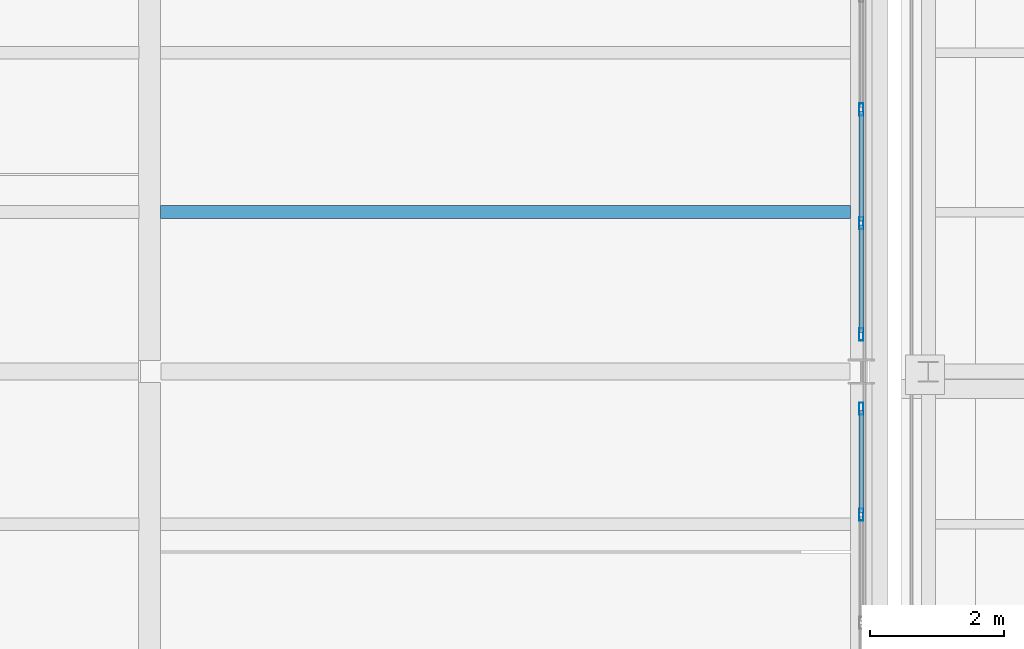
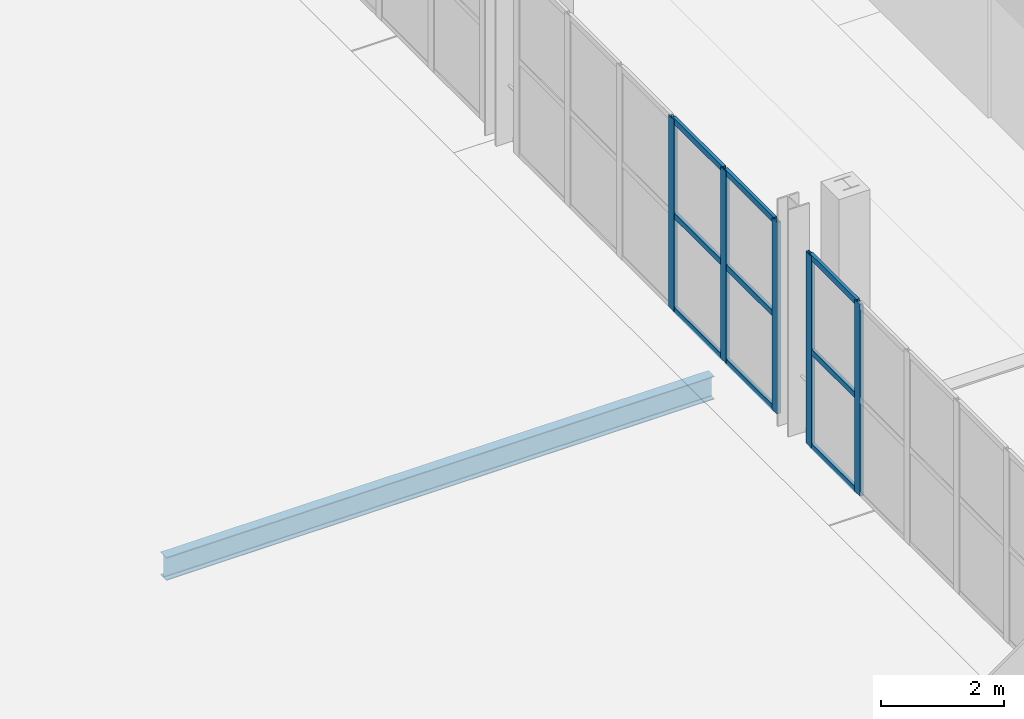
# One storey, part 84 of 156: 14 members, 1 beam, 2 elements without a shape of their own.
"""IFC4 building model written with IfcOpenShell, lengths in metres."""

from ifc_helpers import new_model, si_unit, direction, frame, origin, origin_2d, place, context, subcontext, project, spatial, hollow_rectangle, i_section, extrude, material, material_profile, profile_set, type_object, element, aggregate, save


model = new_model("IFC4")

# Units and contexts
model_context = context("Model", 3, precision=1e-05, world=origin(), true_north=direction((0.0, 1.0)))
body_context = subcontext(model_context, "Body", "Model", "MODEL_VIEW")
ifc_project = project(units=[si_unit("LENGTHUNIT", "METRE"), si_unit("AREAUNIT", "SQUARE_METRE"), si_unit("VOLUMEUNIT", "CUBIC_METRE"), si_unit("PLANEANGLEUNIT", "RADIAN"), si_unit("MASSUNIT", "GRAM", prefix="KILO")], contexts=[model_context])

# Site, building, storey
site_placement = place(None, origin())
site = spatial("IfcSite", under=ifc_project, at=site_placement, CompositionType="ELEMENT")
building_placement = place(site_placement, origin())
building = spatial("IfcBuilding", under=site, at=building_placement, Name="Caurita Quay Ferry Terminal", CompositionType="ELEMENT")
storey_placement = place(building_placement, frame((0.0, 0.0, 5.39990234375)))
storey = spatial("IfcBuildingStorey", under=building, at=storey_placement, Name="L01", CompositionType="ELEMENT", Elevation=5.39990234375)

# Beam
ifc_material_1 = material(Name="Structural steel ASTM A992 Gr. 50", Category="steel")
ifc_material_profile_1 = material_profile(ifc_material_1, i_section(OverallWidth=0.1904296875, OverallDepth=0.457275390625, WebThickness=0.009033203125, FlangeThickness=0.014404296875, FilletRadius=0.0126953125, at=origin_2d()), Name="W18X50")
ifc_profile_set_1 = profile_set([ifc_material_profile_1], Name="Structural steel ASTM A992 Gr. 50")
beam_type = type_object("IfcBeamType", Name="BM-JS-W18B", PredefinedType="JOIST", material=ifc_profile_set_1)
beam_placement = place(storey_placement, frame((121.362548828125, 46.074951171875, -0.528564453125), z_axis=(1.0, 0.0, 0.0), x_axis=(0.0, 1.0, 0.0)))
element("IfcBeam", 1, at=beam_placement, inside=storey, type_object=beam_type, Name="L01 Beam JS-V2-L01-034", PredefinedType="JOIST", context=body_context, shape_type="SweptSolid", body=[
    extrude(i_section(OverallWidth=0.1904296875, OverallDepth=0.457275390625, WebThickness=0.009033203125, FlangeThickness=0.014404296875, FilletRadius=0.0126953125, at=origin_2d()), origin(), (0.0, 0.0, 1.0), 10.27490234375),
])

# Curtain wall, members
ifc_material_2 = material(Name="Laminated solar-control insulated glass", Category="glass")
curtain_wall_type_1 = type_object("IfcCurtainWallType", Name="CW-SYS-11", PredefinedType="NOTDEFINED", material=ifc_material_2)
curtain_wall_1_placement = place(storey_placement, origin())
curtain_wall_1 = element("IfcCurtainWall", 2, at=curtain_wall_1_placement, inside=storey, type_object=curtain_wall_type_1, Name="Concourse Gable Curtain Wall 086", PredefinedType="NOTDEFINED")
ifc_material_3 = material(Name="Anodized aluminium 6063-T6", Category="aluminium")
ifc_material_profile_2 = material_profile(ifc_material_3, hollow_rectangle(XDim=0.06494140625, YDim=0.179931640625, WallThickness=0.00390625, at=origin_2d()), Name="ALU-MUL-65X180")
ifc_profile_set_2 = profile_set([ifc_material_profile_2], Name="Anodized aluminium 6063-T6")
member_type_1 = type_object("IfcMemberType", Name="CW-MUL-180", PredefinedType="MULLION", material=ifc_profile_set_2)
member_1_placement = place(storey_placement, frame((131.800048828125, 41.568115234375, 0.0), z_axis=(0.0, 0.0, 1.0), x_axis=(-1.0, 0.0, 0.0)))
member_1 = element("IfcMember", 3, at=member_1_placement, type_object=member_type_1, Name="CW-GBL-086 Mullion 5", PredefinedType="MULLION", context=body_context, shape_type="SweptSolid", body=[
    extrude(hollow_rectangle(XDim=0.06494140625, YDim=0.179931640625, WallThickness=0.00390625, at=origin_2d()), origin(), (0.0, 0.0, 1.0), 3.800048828125),
])
member_2_placement = place(storey_placement, frame((131.800048828125, 43.1474609375, 0.0), z_axis=(0.0, 0.0, 1.0), x_axis=(-1.0, 0.0, 0.0)))
member_2 = element("IfcMember", 4, at=member_2_placement, type_object=member_type_1, Name="CW-GBL-086 Mullion 6", PredefinedType="MULLION", context=body_context, shape_type="SweptSolid", body=[
    extrude(hollow_rectangle(XDim=0.06494140625, YDim=0.179931640625, WallThickness=0.00390625, at=origin_2d()), origin(), (0.0, 0.0, 1.0), 3.800048828125),
])

curtain_wall_type_2 = type_object("IfcCurtainWallType", Name="CW-SYS-12", PredefinedType="NOTDEFINED", material=ifc_material_2)
curtain_wall_2_placement = place(storey_placement, origin())
curtain_wall_2 = element("IfcCurtainWall", 5, at=curtain_wall_2_placement, inside=storey, type_object=curtain_wall_type_2, Name="Concourse Gable Curtain Wall 087", PredefinedType="NOTDEFINED")
member_3_placement = place(storey_placement, frame((131.800048828125, 44.25244140625, 0.0), z_axis=(0.0, 0.0, 1.0), x_axis=(-1.0, 0.0, 0.0)))
member_3 = element("IfcMember", 6, at=member_3_placement, type_object=member_type_1, Name="CW-GBL-087 Mullion 1", PredefinedType="MULLION", context=body_context, shape_type="SweptSolid", body=[
    extrude(hollow_rectangle(XDim=0.06494140625, YDim=0.179931640625, WallThickness=0.00390625, at=origin_2d()), origin(), (0.0, 0.0, 1.0), 3.800048828125),
])
member_4_placement = place(storey_placement, frame((131.800048828125, 45.912109375, 0.0), z_axis=(0.0, 0.0, 1.0), x_axis=(-1.0, 0.0, 0.0)))
member_4 = element("IfcMember", 7, at=member_4_placement, type_object=member_type_1, Name="CW-GBL-087 Mullion 2", PredefinedType="MULLION", context=body_context, shape_type="SweptSolid", body=[
    extrude(hollow_rectangle(XDim=0.06494140625, YDim=0.179931640625, WallThickness=0.00390625, at=origin_2d()), origin(), (0.0, 0.0, 1.0), 3.800048828125),
])
member_5_placement = place(storey_placement, frame((131.800048828125, 47.60400390625, 0.0), z_axis=(0.0, 0.0, 1.0), x_axis=(-1.0, 0.0, 0.0)))
member_5 = element("IfcMember", 8, at=member_5_placement, type_object=member_type_1, Name="CW-GBL-087 Mullion 3", PredefinedType="MULLION", context=body_context, shape_type="SweptSolid", body=[
    extrude(hollow_rectangle(XDim=0.06494140625, YDim=0.179931640625, WallThickness=0.00390625, at=origin_2d()), origin(), (0.0, 0.0, 1.0), 3.800048828125),
])

# Member
ifc_material_profile_3 = material_profile(ifc_material_3, hollow_rectangle(XDim=0.06005859375, YDim=0.114990234375, WallThickness=0.00341796875, at=origin_2d()), Name="ALU-TRN-60X115")
ifc_profile_set_3 = profile_set([ifc_material_profile_3], Name="Anodized aluminium 6063-T6")
member_type_2 = type_object("IfcMemberType", Name="CW-TRN-115", PredefinedType="USERDEFINED", material=ifc_profile_set_3)
member_6_placement = place(storey_placement, frame((131.800048828125, 41.598388671875, 0.030029296875), z_axis=(0.0, 1.0, 0.0), x_axis=(-1.0, 0.0, 0.0)))
member_6 = element("IfcMember", 9, at=member_6_placement, type_object=member_type_2, Name="CW-GBL-086 Transom 13", ObjectType="TRANSOM", PredefinedType="USERDEFINED", context=body_context, shape_type="SweptSolid", body=[
    extrude(hollow_rectangle(XDim=0.06005859375, YDim=0.114990234375, WallThickness=0.00341796875, at=origin_2d()), origin(), (0.0, 0.0, 1.0), 1.5185546875),
])

member_7_placement = place(storey_placement, frame((131.800048828125, 41.598388671875, 1.900146484375), z_axis=(0.0, 1.0, 0.0), x_axis=(-1.0, 0.0, 0.0)))
member_7 = element("IfcMember", 10, at=member_7_placement, type_object=member_type_2, Name="CW-GBL-086 Transom 14", ObjectType="TRANSOM", PredefinedType="USERDEFINED", context=body_context, shape_type="SweptSolid", body=[
    extrude(hollow_rectangle(XDim=0.06005859375, YDim=0.114990234375, WallThickness=0.00341796875, at=origin_2d()), origin(), (0.0, 0.0, 1.0), 1.5185546875),
])

member_8_placement = place(storey_placement, frame((131.800048828125, 41.598388671875, 3.77001953125), z_axis=(0.0, 1.0, 0.0), x_axis=(-1.0, 0.0, 0.0)))
member_8 = element("IfcMember", 11, at=member_8_placement, type_object=member_type_2, Name="CW-GBL-086 Transom 15", ObjectType="TRANSOM", PredefinedType="USERDEFINED", context=body_context, shape_type="SweptSolid", body=[
    extrude(hollow_rectangle(XDim=0.06005859375, YDim=0.114990234375, WallThickness=0.00341796875, at=origin_2d()), origin(), (0.0, 0.0, 1.0), 1.5185546875),
])

aggregate(curtain_wall_1, [member_1, member_2, member_6, member_7, member_8])

member_9_placement = place(storey_placement, frame((131.800048828125, 44.282958984375, 0.030029296875), z_axis=(0.0, 1.0, 0.0), x_axis=(-1.0, 0.0, 0.0)))
member_9 = element("IfcMember", 12, at=member_9_placement, type_object=member_type_2, Name="CW-GBL-087 Transom 1", ObjectType="TRANSOM", PredefinedType="USERDEFINED", context=body_context, shape_type="SweptSolid", body=[
    extrude(hollow_rectangle(XDim=0.06005859375, YDim=0.114990234375, WallThickness=0.00341796875, at=origin_2d()), origin(), (0.0, 0.0, 1.0), 1.5986328125),
])

member_10_placement = place(storey_placement, frame((131.800048828125, 44.282958984375, 1.900146484375), z_axis=(0.0, 1.0, 0.0), x_axis=(-1.0, 0.0, 0.0)))
member_10 = element("IfcMember", 13, at=member_10_placement, type_object=member_type_2, Name="CW-GBL-087 Transom 2", ObjectType="TRANSOM", PredefinedType="USERDEFINED", context=body_context, shape_type="SweptSolid", body=[
    extrude(hollow_rectangle(XDim=0.06005859375, YDim=0.114990234375, WallThickness=0.00341796875, at=origin_2d()), origin(), (0.0, 0.0, 1.0), 1.5986328125),
])

member_11_placement = place(storey_placement, frame((131.800048828125, 44.282958984375, 3.77001953125), z_axis=(0.0, 1.0, 0.0), x_axis=(-1.0, 0.0, 0.0)))
member_11 = element("IfcMember", 14, at=member_11_placement, type_object=member_type_2, Name="CW-GBL-087 Transom 3", ObjectType="TRANSOM", PredefinedType="USERDEFINED", context=body_context, shape_type="SweptSolid", body=[
    extrude(hollow_rectangle(XDim=0.06005859375, YDim=0.114990234375, WallThickness=0.00341796875, at=origin_2d()), origin(), (0.0, 0.0, 1.0), 1.5986328125),
])

member_12_placement = place(storey_placement, frame((131.800048828125, 45.9423828125, 0.030029296875), z_axis=(0.0, 1.0, 0.0), x_axis=(-1.0, 0.0, 0.0)))
member_12 = element("IfcMember", 15, at=member_12_placement, type_object=member_type_2, Name="CW-GBL-087 Transom 4", ObjectType="TRANSOM", PredefinedType="USERDEFINED", context=body_context, shape_type="SweptSolid", body=[
    extrude(hollow_rectangle(XDim=0.06005859375, YDim=0.114990234375, WallThickness=0.00341796875, at=origin_2d()), origin(), (0.0, 0.0, 1.0), 1.631103515625),
])

member_13_placement = place(storey_placement, frame((131.800048828125, 45.9423828125, 1.900146484375), z_axis=(0.0, 1.0, 0.0), x_axis=(-1.0, 0.0, 0.0)))
member_13 = element("IfcMember", 16, at=member_13_placement, type_object=member_type_2, Name="CW-GBL-087 Transom 5", ObjectType="TRANSOM", PredefinedType="USERDEFINED", context=body_context, shape_type="SweptSolid", body=[
    extrude(hollow_rectangle(XDim=0.06005859375, YDim=0.114990234375, WallThickness=0.00341796875, at=origin_2d()), origin(), (0.0, 0.0, 1.0), 1.631103515625),
])

member_14_placement = place(storey_placement, frame((131.800048828125, 45.9423828125, 3.77001953125), z_axis=(0.0, 1.0, 0.0), x_axis=(-1.0, 0.0, 0.0)))
member_14 = element("IfcMember", 17, at=member_14_placement, type_object=member_type_2, Name="CW-GBL-087 Transom 6", ObjectType="TRANSOM", PredefinedType="USERDEFINED", context=body_context, shape_type="SweptSolid", body=[
    extrude(hollow_rectangle(XDim=0.06005859375, YDim=0.114990234375, WallThickness=0.00341796875, at=origin_2d()), origin(), (0.0, 0.0, 1.0), 1.631103515625),
])

aggregate(curtain_wall_2, [member_3, member_4, member_5, member_9, member_10, member_11, member_12, member_13, member_14])

save(model, "model.ifc")
